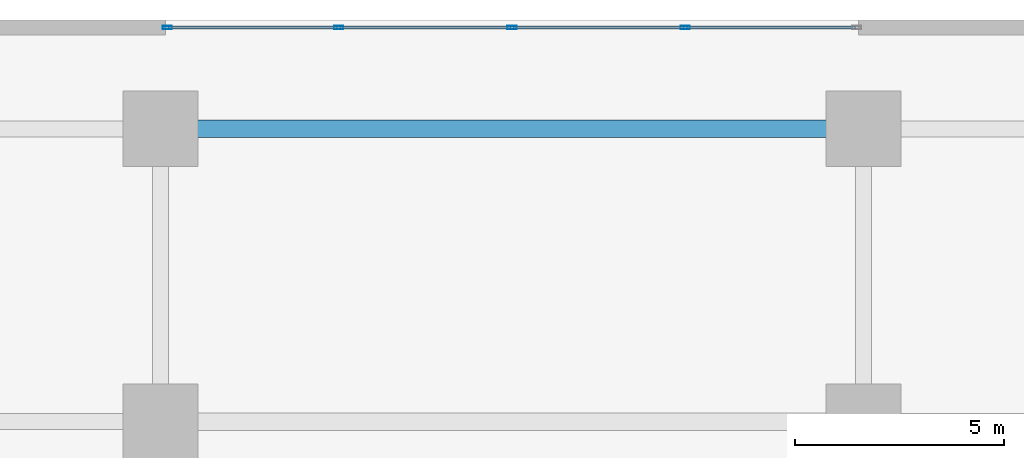
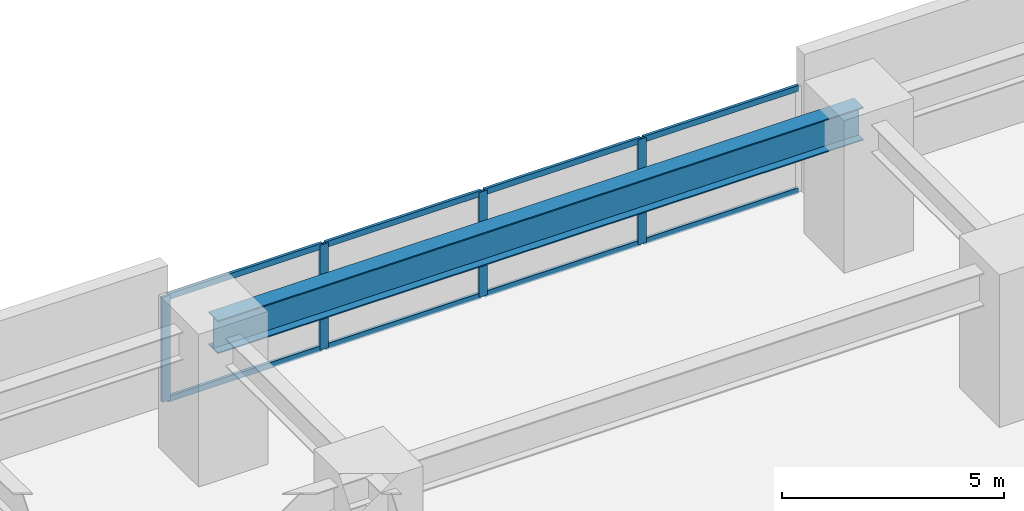
# One storey, part 7 of 22: 12 members, 1 beam, 1 element without a shape of its own.
"""IFC4 building model written with IfcOpenShell, lengths in metres."""

from ifc_helpers import new_model, si_unit, direction, frame, origin, origin_2d, place, context, subcontext, project, spatial, hollow_rectangle, i_section, extrude, material, layer, layer_set, material_profile, profile_set, type_object, element, aggregate, save


model = new_model("IFC4")

# Units and contexts
model_context = context("Model", 3, precision=1e-05, world=origin(), true_north=direction((0.0, 1.0)))
body_context = subcontext(model_context, "Body", "Model", "MODEL_VIEW")
ifc_project = project(units=[si_unit("LENGTHUNIT", "METRE"), si_unit("AREAUNIT", "SQUARE_METRE"), si_unit("VOLUMEUNIT", "CUBIC_METRE"), si_unit("PLANEANGLEUNIT", "RADIAN"), si_unit("MASSUNIT", "GRAM", prefix="KILO")], contexts=[model_context])

# Site, building, storey
site_placement = place(None, origin())
site = spatial("IfcSite", under=ifc_project, at=site_placement, CompositionType="ELEMENT")
building_placement = place(site_placement, origin())
building = spatial("IfcBuilding", under=site, at=building_placement, Name="Kiyonajd Concourse Tower", CompositionType="ELEMENT")
storey_placement = place(building_placement, frame((0.0, 0.0, 12.89990234375)))
storey = spatial("IfcBuildingStorey", under=building, at=storey_placement, Name="L04", CompositionType="ELEMENT", Elevation=12.89990234375)

# Beam
ifc_material_1 = material(Name="Steel ASTM A992 Grade 50", Category="steel")
ifc_material_profile_1 = material_profile(ifc_material_1, i_section(OverallWidth=0.41796875, OverallDepth=0.912109375, WebThickness=0.019287109375, FlangeThickness=0.031982421875, at=origin_2d()), Name="W920X342")
ifc_profile_set_1 = profile_set([ifc_material_profile_1], Name="Steel ASTM A992 Grade 50")
beam_type = type_object("IfcBeamType", Name="BM-CON-920B", PredefinedType="BEAM", material=ifc_profile_set_1)
beam_placement = place(storey_placement, frame((39.60009765625, 69.39990234375, 3.384033203125), z_axis=(1.0, 0.0, 0.0), x_axis=(0.0, 1.0, 0.0)))
element("IfcBeam", 1, at=beam_placement, inside=storey, type_object=beam_type, Name="L04 Concourse Clear Span Girder", PredefinedType="BEAM", context=body_context, shape_type="SweptSolid", body=[
    extrude(i_section(OverallWidth=0.41796875, OverallDepth=0.912109375, WebThickness=0.019287109375, FlangeThickness=0.031982421875, at=origin_2d()), origin(), (0.0, 0.0, 1.0), 16.7998046875),
])

# Curtain wall, members
ifc_material_2 = material(Name="Thermally Broken Anodised Aluminium", Category="aluminium")
ifc_layer = layer(ifc_material_2, 0.179931640625)
ifc_layer_set = layer_set([ifc_layer], Name="Thermally Broken Anodised Aluminium")
curtain_wall_type = type_object("IfcCurtainWallType", Name="CW-SYS-01", PredefinedType="NOTDEFINED", material=ifc_layer_set)
curtain_wall_placement = place(storey_placement, origin())
curtain_wall = element("IfcCurtainWall", 2, at=curtain_wall_placement, inside=storey, type_object=curtain_wall_type, Name="L04 Unitised Curtain Wall CW1", PredefinedType="NOTDEFINED")
ifc_material_profile_2 = material_profile(ifc_material_2, hollow_rectangle(XDim=0.074951171875, YDim=0.219970703125, WallThickness=0.0048828125, at=origin_2d()), Name="MULL-75x220")
ifc_profile_set_2 = profile_set([ifc_material_profile_2], Name="Thermally Broken Anodised Aluminium")
member_type_1 = type_object("IfcMemberType", Name="MB-CW-MULL2", PredefinedType="MULLION", material=ifc_profile_set_2)
member_1_placement = place(storey_placement, frame((39.757568359375, 71.820068359375, 0.0), z_axis=(0.0, 0.0, 1.0), x_axis=(0.0, 1.0, 0.0)))
member_1 = element("IfcMember", 3, at=member_1_placement, type_object=member_type_1, Name="CW1 mullion 1", PredefinedType="MULLION", context=body_context, shape_type="SweptSolid", body=[
    extrude(hollow_rectangle(XDim=0.074951171875, YDim=0.219970703125, WallThickness=0.0048828125, at=origin_2d()), origin(), (0.0, 0.0, 1.0), 2.89013671875),
])
member_2_placement = place(storey_placement, frame((43.860107421875, 71.820068359375, 0.0), z_axis=(0.0, 0.0, 1.0), x_axis=(0.0, 1.0, 0.0)))
member_2 = element("IfcMember", 4, at=member_2_placement, type_object=member_type_1, Name="CW1 mullion 2", PredefinedType="MULLION", context=body_context, shape_type="SweptSolid", body=[
    extrude(hollow_rectangle(XDim=0.074951171875, YDim=0.219970703125, WallThickness=0.0048828125, at=origin_2d()), origin(), (0.0, 0.0, 1.0), 2.89013671875),
])
member_3_placement = place(storey_placement, frame((48.0, 71.820068359375, 0.0), z_axis=(0.0, 0.0, 1.0), x_axis=(0.0, 1.0, 0.0)))
member_3 = element("IfcMember", 5, at=member_3_placement, type_object=member_type_1, Name="CW1 mullion 3", PredefinedType="MULLION", context=body_context, shape_type="SweptSolid", body=[
    extrude(hollow_rectangle(XDim=0.074951171875, YDim=0.219970703125, WallThickness=0.0048828125, at=origin_2d()), origin(), (0.0, 0.0, 1.0), 2.89013671875),
])
member_4_placement = place(storey_placement, frame((52.139892578125, 71.820068359375, 0.0), z_axis=(0.0, 0.0, 1.0), x_axis=(0.0, 1.0, 0.0)))
member_4 = element("IfcMember", 6, at=member_4_placement, type_object=member_type_1, Name="CW1 mullion 4", PredefinedType="MULLION", context=body_context, shape_type="SweptSolid", body=[
    extrude(hollow_rectangle(XDim=0.074951171875, YDim=0.219970703125, WallThickness=0.0048828125, at=origin_2d()), origin(), (0.0, 0.0, 1.0), 2.89013671875),
])
ifc_material_profile_3 = material_profile(ifc_material_2, hollow_rectangle(XDim=0.074951171875, YDim=0.159912109375, WallThickness=0.0048828125, at=origin_2d()), Name="TRAN-75x160")
ifc_profile_set_3 = profile_set([ifc_material_profile_3], Name="Thermally Broken Anodised Aluminium")
member_type_2 = type_object("IfcMemberType", Name="MB-CW-TRAN2", PredefinedType="USERDEFINED", material=ifc_profile_set_3)
member_5_placement = place(storey_placement, frame((39.794921875, 71.820068359375, 0.03759765625), z_axis=(1.0, 0.0, 0.0), x_axis=(0.0, 1.0, 0.0)))
member_5 = element("IfcMember", 7, at=member_5_placement, type_object=member_type_2, Name="CW1 transom 1.1", ObjectType="TRANSOM", PredefinedType="USERDEFINED", context=body_context, shape_type="SweptSolid", body=[
    extrude(hollow_rectangle(XDim=0.074951171875, YDim=0.159912109375, WallThickness=0.0048828125, at=origin_2d()), origin(), (0.0, 0.0, 1.0), 4.027587890625),
])
member_6_placement = place(storey_placement, frame((39.794921875, 71.820068359375, 2.8525390625), z_axis=(1.0, 0.0, 0.0), x_axis=(0.0, 1.0, 0.0)))
member_6 = element("IfcMember", 8, at=member_6_placement, type_object=member_type_2, Name="CW1 transom 1.2", ObjectType="TRANSOM", PredefinedType="USERDEFINED", context=body_context, shape_type="SweptSolid", body=[
    extrude(hollow_rectangle(XDim=0.074951171875, YDim=0.159912109375, WallThickness=0.0048828125, at=origin_2d()), origin(), (0.0, 0.0, 1.0), 4.027587890625),
])
member_7_placement = place(storey_placement, frame((43.8974609375, 71.820068359375, 0.03759765625), z_axis=(1.0, 0.0, 0.0), x_axis=(0.0, 1.0, 0.0)))
member_7 = element("IfcMember", 9, at=member_7_placement, type_object=member_type_2, Name="CW1 transom 2.1", ObjectType="TRANSOM", PredefinedType="USERDEFINED", context=body_context, shape_type="SweptSolid", body=[
    extrude(hollow_rectangle(XDim=0.074951171875, YDim=0.159912109375, WallThickness=0.0048828125, at=origin_2d()), origin(), (0.0, 0.0, 1.0), 4.06494140625),
])
member_8_placement = place(storey_placement, frame((43.8974609375, 71.820068359375, 2.8525390625), z_axis=(1.0, 0.0, 0.0), x_axis=(0.0, 1.0, 0.0)))
member_8 = element("IfcMember", 10, at=member_8_placement, type_object=member_type_2, Name="CW1 transom 2.2", ObjectType="TRANSOM", PredefinedType="USERDEFINED", context=body_context, shape_type="SweptSolid", body=[
    extrude(hollow_rectangle(XDim=0.074951171875, YDim=0.159912109375, WallThickness=0.0048828125, at=origin_2d()), origin(), (0.0, 0.0, 1.0), 4.06494140625),
])
member_9_placement = place(storey_placement, frame((48.03759765625, 71.820068359375, 0.03759765625), z_axis=(1.0, 0.0, 0.0), x_axis=(0.0, 1.0, 0.0)))
member_9 = element("IfcMember", 11, at=member_9_placement, type_object=member_type_2, Name="CW1 transom 3.1", ObjectType="TRANSOM", PredefinedType="USERDEFINED", context=body_context, shape_type="SweptSolid", body=[
    extrude(hollow_rectangle(XDim=0.074951171875, YDim=0.159912109375, WallThickness=0.0048828125, at=origin_2d()), origin(), (0.0, 0.0, 1.0), 4.06494140625),
])
member_10_placement = place(storey_placement, frame((48.03759765625, 71.820068359375, 2.8525390625), z_axis=(1.0, 0.0, 0.0), x_axis=(0.0, 1.0, 0.0)))
member_10 = element("IfcMember", 12, at=member_10_placement, type_object=member_type_2, Name="CW1 transom 3.2", ObjectType="TRANSOM", PredefinedType="USERDEFINED", context=body_context, shape_type="SweptSolid", body=[
    extrude(hollow_rectangle(XDim=0.074951171875, YDim=0.159912109375, WallThickness=0.0048828125, at=origin_2d()), origin(), (0.0, 0.0, 1.0), 4.06494140625),
])
member_11_placement = place(storey_placement, frame((52.177490234375, 71.820068359375, 0.03759765625), z_axis=(1.0, 0.0, 0.0), x_axis=(0.0, 1.0, 0.0)))
member_11 = element("IfcMember", 13, at=member_11_placement, type_object=member_type_2, Name="CW1 transom 4.1", ObjectType="TRANSOM", PredefinedType="USERDEFINED", context=body_context, shape_type="SweptSolid", body=[
    extrude(hollow_rectangle(XDim=0.074951171875, YDim=0.159912109375, WallThickness=0.0048828125, at=origin_2d()), origin(), (0.0, 0.0, 1.0), 4.027587890625),
])
member_12_placement = place(storey_placement, frame((52.177490234375, 71.820068359375, 2.8525390625), z_axis=(1.0, 0.0, 0.0), x_axis=(0.0, 1.0, 0.0)))
member_12 = element("IfcMember", 14, at=member_12_placement, type_object=member_type_2, Name="CW1 transom 4.2", ObjectType="TRANSOM", PredefinedType="USERDEFINED", context=body_context, shape_type="SweptSolid", body=[
    extrude(hollow_rectangle(XDim=0.074951171875, YDim=0.159912109375, WallThickness=0.0048828125, at=origin_2d()), origin(), (0.0, 0.0, 1.0), 4.027587890625),
])
aggregate(curtain_wall, [member_1, member_2, member_3, member_4, member_5, member_6, member_7, member_8, member_9, member_10, member_11, member_12])

save(model, "model.ifc")
